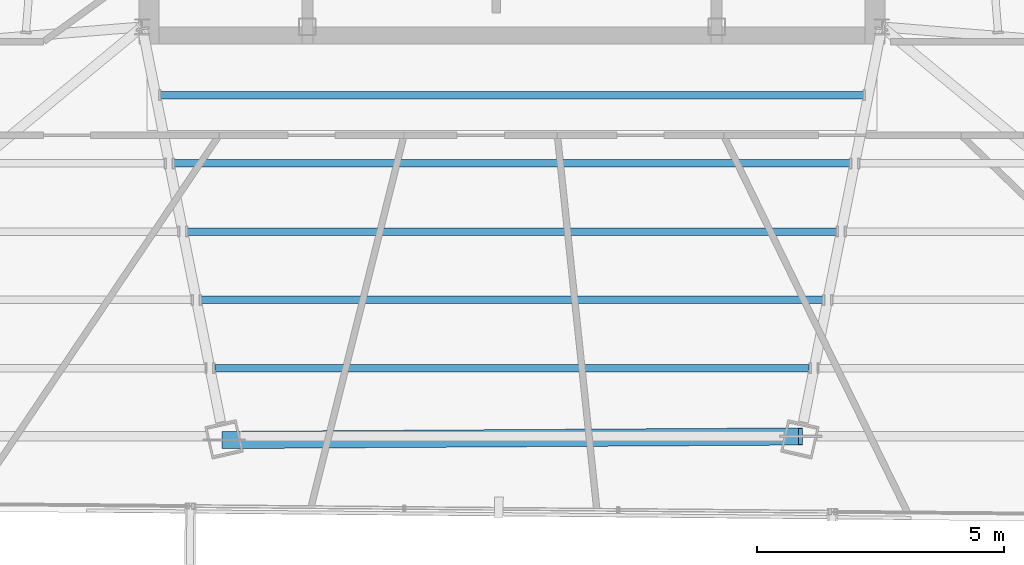
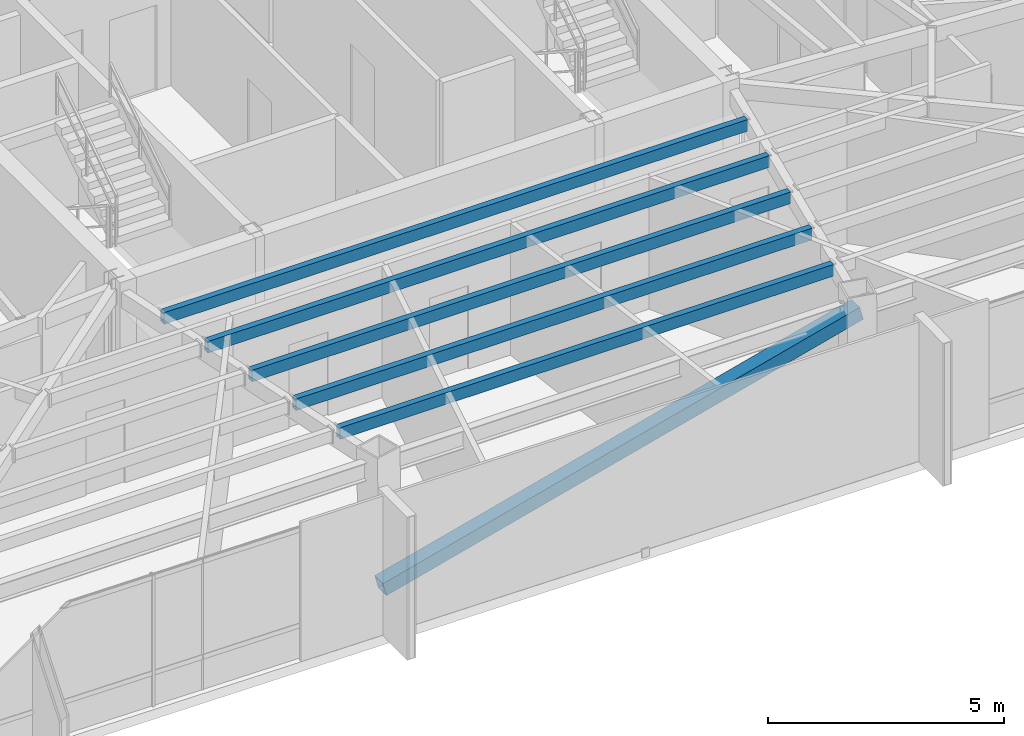
# One storey, part 14 of 45: 5 beams, 1 member.
"""IFC4 building model written with IfcOpenShell, lengths in metres."""

from ifc_helpers import new_model, si_unit, direction, frame, origin, origin_2d, place, context, subcontext, project, spatial, hollow_rectangle, extrude, source, transform, mapped, material, material_profile, profile_set, type_object, type_shapes, element, save


model = new_model("IFC4")

# Units and contexts
model_context = context("Model", 3, precision=1e-05, world=origin(), true_north=direction((0.0, 1.0)))
body_context = subcontext(model_context, "Body", "Model", "MODEL_VIEW")
ifc_project = project(units=[si_unit("LENGTHUNIT", "METRE"), si_unit("AREAUNIT", "SQUARE_METRE"), si_unit("VOLUMEUNIT", "CUBIC_METRE"), si_unit("PLANEANGLEUNIT", "RADIAN"), si_unit("MASSUNIT", "GRAM", prefix="KILO")], contexts=[model_context])

# Site, building, storey
site_placement = place(None, origin())
site = spatial("IfcSite", under=ifc_project, at=site_placement, CompositionType="ELEMENT")
building_placement = place(site_placement, origin())
building = spatial("IfcBuilding", under=site, at=building_placement, Name="Caelisora Broadcast Tower", CompositionType="ELEMENT")
storey_placement = place(building_placement, frame((0.0, 0.0, 240.800048828125)))
storey = spatial("IfcBuildingStorey", under=building, at=storey_placement, Name="L63", CompositionType="ELEMENT", Elevation=240.800048828125)

# Beams
ifc_material_1 = material(Name="Steel Grade 350 (AS/NZS 1163 C350L0)", Category="steel")
ifc_material_profile_1 = material_profile(ifc_material_1, hollow_rectangle(XDim=0.14990234375, YDim=0.300048828125, WallThickness=0.010009765625, at=origin_2d()), Name="Steel Grade 350 (AS/NZS 1163 C350L0)")
ifc_profile_set_1 = profile_set([ifc_material_profile_1], Name="Steel Grade 350 (AS/NZS 1163 C350L0)")
beam_type = type_object("IfcBeamType", Name="SB05", PredefinedType="JOIST", material=ifc_profile_set_1)
shared_shape_1 = source(origin(), body_context, "Body", "SweptSolid", [
    extrude(hollow_rectangle(XDim=0.14990234375, YDim=0.300048828125, WallThickness=0.010009765625, at=origin_2d()), origin(), (0.0, 0.0, 1.0), 12.0537109375),
])
beam_1_placement = place(storey_placement, frame((31.97314453125, 10.479248046875, 3.25), z_axis=(1.0, 0.0, 0.0), x_axis=(0.0, 1.0, 0.0)))
element("IfcBeam", 1, at=beam_1_placement, inside=storey, type_object=beam_type, Name="L63 beam SB05", PredefinedType="JOIST", context=body_context, shape_type="MappedRepresentation", body=[
    mapped(shared_shape_1, transform((0.0, 0.0, 0.0), scale=1.0)),
])
shared_shape_2 = source(origin(), body_context, "Body", "SweptSolid", [
    extrude(hollow_rectangle(XDim=0.14990234375, YDim=0.300048828125, WallThickness=0.010009765625, at=origin_2d()), origin(), (0.0, 0.0, 1.0), 14.25244140625),
])
beam_2_placement = place(storey_placement, frame((30.873779296875, 16.015869140625, 3.25), z_axis=(1.0, 0.0, 0.0), x_axis=(0.0, 1.0, 0.0)))
element("IfcBeam", 2, at=beam_2_placement, inside=storey, type_object=beam_type, Name="L63 beam SB05", PredefinedType="JOIST", context=body_context, shape_type="MappedRepresentation", body=[
    mapped(shared_shape_2, transform((0.0, 0.0, 0.0), scale=1.0)),
])
shared_shape_3 = source(origin(), body_context, "Body", "SweptSolid", [
    extrude(hollow_rectangle(XDim=0.14990234375, YDim=0.300048828125, WallThickness=0.010009765625, at=origin_2d()), origin(), (0.0, 0.0, 1.0), 13.70263671875),
])
beam_3_placement = place(storey_placement, frame((31.148681640625, 14.631591796875, 3.25), z_axis=(1.0, 0.0, 0.0), x_axis=(0.0, 1.0, 0.0)))
element("IfcBeam", 3, at=beam_3_placement, inside=storey, type_object=beam_type, Name="L63 beam SB05", PredefinedType="JOIST", context=body_context, shape_type="MappedRepresentation", body=[
    mapped(shared_shape_3, transform((0.0, 0.0, 0.0), scale=1.0)),
])
shared_shape_4 = source(origin(), body_context, "Body", "SweptSolid", [
    extrude(hollow_rectangle(XDim=0.14990234375, YDim=0.300048828125, WallThickness=0.010009765625, at=origin_2d()), origin(), (0.0, 0.0, 1.0), 13.15283203125),
])
beam_4_placement = place(storey_placement, frame((31.423583984375, 13.24755859375, 3.25), z_axis=(1.0, 0.0, 0.0), x_axis=(0.0, 1.0, 0.0)))
element("IfcBeam", 4, at=beam_4_placement, inside=storey, type_object=beam_type, Name="L63 beam SB05", PredefinedType="JOIST", context=body_context, shape_type="MappedRepresentation", body=[
    mapped(shared_shape_4, transform((0.0, 0.0, 0.0), scale=1.0)),
])
shared_shape_5 = source(origin(), body_context, "Body", "SweptSolid", [
    extrude(hollow_rectangle(XDim=0.14990234375, YDim=0.300048828125, WallThickness=0.010009765625, at=origin_2d()), origin(), (0.0, 0.0, 1.0), 12.603515625),
])
type_shapes(beam_type, [shared_shape_1, shared_shape_2, shared_shape_3, shared_shape_4, shared_shape_5])
beam_5_placement = place(storey_placement, frame((31.6982421875, 11.863525390625, 3.25), z_axis=(1.0, 0.0, 0.0), x_axis=(0.0, 1.0, 0.0)))
element("IfcBeam", 5, at=beam_5_placement, inside=storey, type_object=beam_type, Name="L63 beam SB05", PredefinedType="JOIST", context=body_context, shape_type="MappedRepresentation", body=[
    mapped(shared_shape_5, transform((0.0, 0.0, 0.0), scale=1.0)),
])

# Member
ifc_material_2 = material(Name="Steel Grade 450 (AS/NZS 1163 C450L0)", Category="steel")
ifc_material_profile_2 = material_profile(ifc_material_2, hollow_rectangle(XDim=0.35009765625, YDim=0.35009765625, WallThickness=0.012451171875, at=origin_2d()), Name="Steel Grade 450 (AS/NZS 1163 C450L0)")
ifc_profile_set_2 = profile_set([ifc_material_profile_2], Name="Steel Grade 450 (AS/NZS 1163 C450L0)")
member_type = type_object("IfcMemberType", Name="BR05", PredefinedType="BRACE", material=ifc_profile_set_2)
shared_shape_6 = source(origin(), body_context, "Body", "SweptSolid", [
    extrude(hollow_rectangle(XDim=0.35009765625, YDim=0.35009765625, WallThickness=0.012451171875, at=origin_2d()), origin(), (0.0, 0.0, 1.0), 12.06494140625),
])
type_shapes(member_type, [shared_shape_6])
member_placement = place(storey_placement, frame((32.165283203125, 9.02294921875, 0.099853515625), z_axis=(0.968573795026, 0.005989717817, 0.248654231553), x_axis=(-0.00618394109, 0.999980879253, 0.0)))
element("IfcMember", 6, at=member_placement, inside=storey, type_object=member_type, Name="L63 perimeter brace BR05", PredefinedType="BRACE", context=body_context, shape_type="MappedRepresentation", body=[
    mapped(shared_shape_6, transform((0.0, 0.0, 0.0), scale=1.0)),
])

save(model, "model.ifc")
